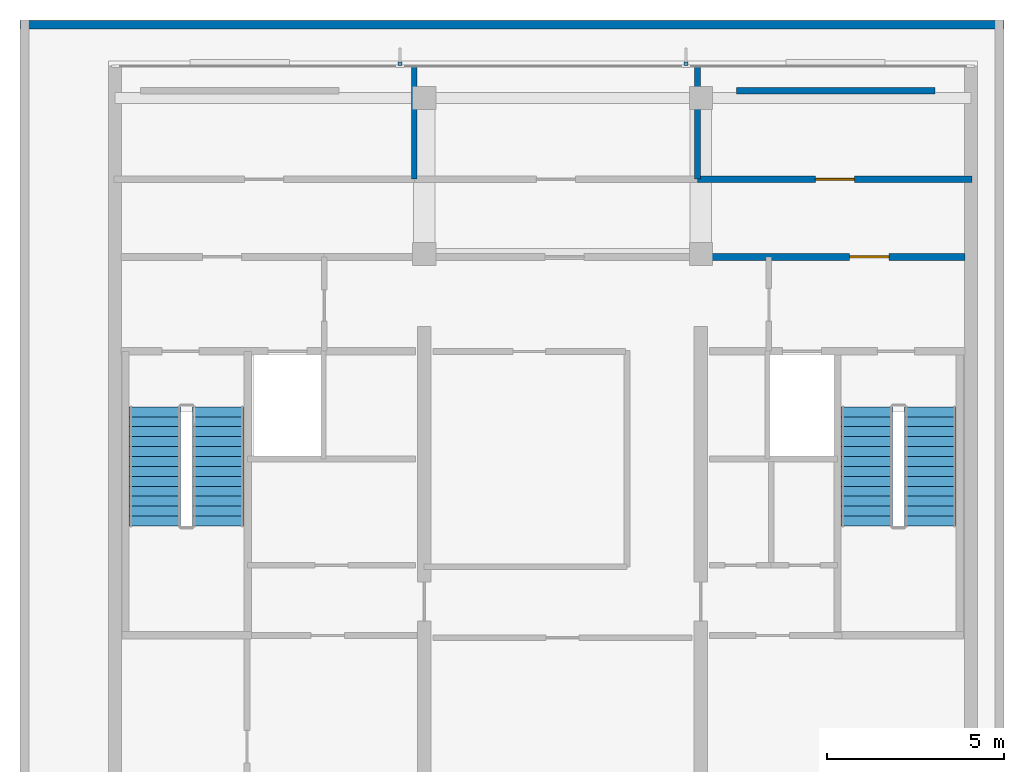
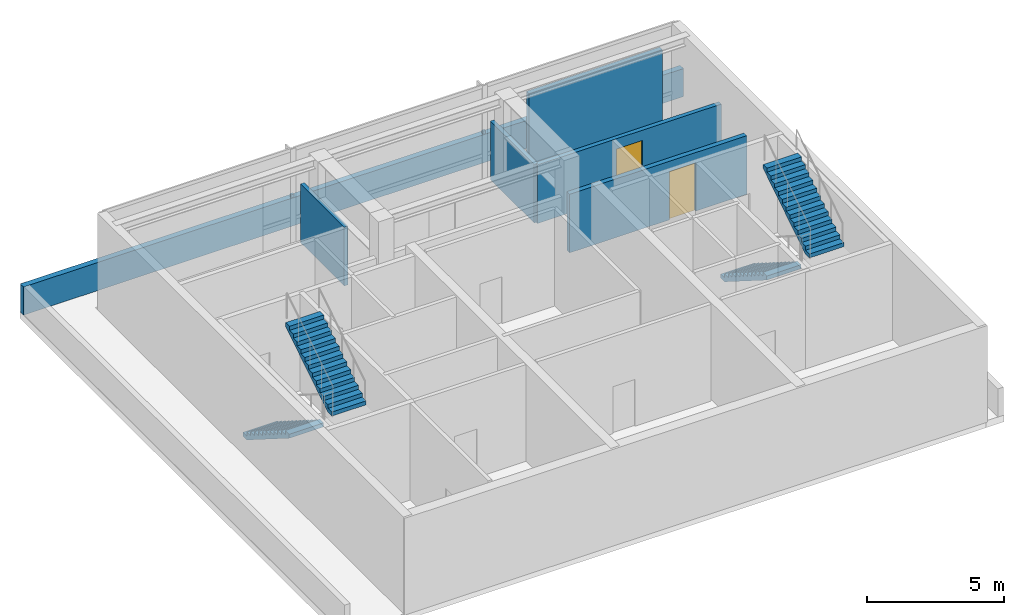
# One storey, part 3 of 4: 6 walls, 4 stair flights, 2 discrete accessories, 2 doors, 2 openings, 2 elements without a shape of their own.
"""IFC4 building model written with IfcOpenShell, lengths in metres."""

from ifc_helpers import new_model, si_unit, direction, frame, frame_2d, origin, place, context, subcontext, project, spatial, polyline, rectangle, outline, extrude, material, layer, layer_set, type_object, element, fill, aggregate, save


model = new_model("IFC4")

# Units and contexts
model_context = context("Model", 3, precision=1e-05, world=origin(), true_north=direction((0.0, 1.0)))
body_context = subcontext(model_context, "Body", "Model", "MODEL_VIEW")
ifc_project = project(units=[si_unit("LENGTHUNIT", "METRE"), si_unit("AREAUNIT", "SQUARE_METRE"), si_unit("VOLUMEUNIT", "CUBIC_METRE"), si_unit("PLANEANGLEUNIT", "RADIAN"), si_unit("MASSUNIT", "GRAM", prefix="KILO")], contexts=[model_context])

# Site, building, storey
site_placement = place(None, origin())
site = spatial("IfcSite", under=ifc_project, at=site_placement, CompositionType="ELEMENT")
building_placement = place(site_placement, origin())
building = spatial("IfcBuilding", under=site, at=building_placement, Name="Qalmaran Belvedere Hotel", CompositionType="ELEMENT")
storey_placement = place(building_placement, frame((0.0, 0.0, 307.89990234375)))
storey = spatial("IfcBuildingStorey", under=building, at=storey_placement, Name="C03", CompositionType="ELEMENT", Elevation=307.89990234375)

# Walls
ifc_material_1 = material(Name="Anodised Bronze Cladding")
ifc_layer_1 = layer(ifc_material_1, 0.18505859375, Name="Anodised Bronze Cladding")
ifc_layer_set_1 = layer_set([ifc_layer_1], Name="Anodised Bronze Cladding")
wall_type_1 = type_object("IfcWallType", Name="WL-CRN-SCRN-185", PredefinedType="ELEMENTEDWALL", material=ifc_layer_set_1)
wall_1_placement = place(storey_placement, frame((38.0, 25.10009765625, 0.0), z_axis=(0.0, 0.0, 1.0), x_axis=(1.0, 0.0, 0.0)))
element("IfcWall", 1, at=wall_1_placement, inside=storey, type_object=wall_type_1, Name="C03 Crown Acoustic Screen N2", PredefinedType="ELEMENTEDWALL", context=body_context, shape_type="SweptSolid", body=[
    extrude(rectangle(XDim=5.60009765625, YDim=0.18505859375, at=frame_2d((2.800048828125, 0.0))), origin(), (0.0, 0.0, 1.0), 3.885009765625),
])
ifc_material_2 = material(Name="Gypsum Stud Partition")
ifc_layer_2 = layer(ifc_material_2, 0.159912109375, Name="Gypsum Stud Partition")
ifc_layer_set_2 = layer_set([ifc_layer_2], Name="Gypsum Stud Partition")
wall_type_2 = type_object("IfcWallType", Name="WL-INT-160-EI120", PredefinedType="PARTITIONING", material=ifc_layer_set_2)
for number, where, z_axis, x_axis, name in (
    (2, (28.919921875, 22.610107421875, 0.0), (0.0, 0.0, 1.0), (0.0, 1.0, 0.0), "C03 Partition WL-C03-CV1"),
    (3, (36.906005859375, 22.610107421875, 0.0), (0.0, 0.0, 1.0), (0.0, 1.0, 0.0), "C03 Partition WL-C03-CV2"),
):
    element("IfcWall", number, at=place(storey_placement, frame(where, z_axis=z_axis, x_axis=x_axis)), inside=storey, type_object=wall_type_2, Name=name, PredefinedType="PARTITIONING", context=body_context, shape_type="SweptSolid", body=[
        extrude(rectangle(XDim=3.18994140625, YDim=0.159912109375, at=frame_2d((1.594970703125, 0.0))), origin(), (0.0, 0.0, 1.0), 2.60498046875),
    ])

# Wall, opening, door
ifc_layer_3 = layer(ifc_material_2, 0.179931640625, Name="Gypsum Stud Partition")
ifc_layer_set_3 = layer_set([ifc_layer_3], Name="Gypsum Stud Partition")
wall_type_3 = type_object("IfcWallType", Name="WL-INT-180-EI120", PredefinedType="PARTITIONING", material=ifc_layer_set_3)
wall_2_placement = place(storey_placement, frame((36.906005859375, 22.610107421875, 0.0), z_axis=(0.0, 0.0, 1.0), x_axis=(1.0, 0.0, 0.0)))
wall_2 = element("IfcWall", 4, at=wall_2_placement, inside=storey, type_object=wall_type_3, Name="C03 Partition WL-C03-CCN3", PredefinedType="PARTITIONING", context=body_context, shape_type="SweptSolid", body=[
    extrude(rectangle(XDim=7.743896484375, YDim=0.179931640625, at=frame_2d((3.8720703125, 0.0))), origin(), (0.0, 0.0, 1.0), 2.60498046875),
])
opening_1_placement = place(wall_2_placement, frame((3.322021484375, 0.0, 0.0)))
opening_1 = element("IfcOpeningElement", 5, at=opening_1_placement, cuts=wall_2, Name="Opening FD90", PredefinedType="OPENING", context=body_context, shape_type="SweptSolid", body=[
    extrude(rectangle(XDim=1.10009765625, YDim=2.14990234375, at=frame_2d((0.550048828125, 1.074951171875))), frame((0.0, 0.10009765625, 0.0), z_axis=(0.0, -1.0, 0.0), x_axis=(1.0, 0.0, 0.0)), (0.0, 0.0, 1.0), 0.199951171875),
])
ifc_material_3 = material(Name="Steel S355JR", Category="steel")
door_type = type_object("IfcDoorType", Name="DR-FD90-1100X2150", OperationType="NOTDEFINED", PredefinedType="DOOR", material=ifc_material_3)
door_1_placement = place(opening_1_placement, origin())
door_1 = element("IfcDoor", 6, at=door_1_placement, inside=storey, type_object=door_type, Name="C03 BMU and Break Tank Plant Room Door", OperationType="SINGLE_SWING_LEFT", OverallHeight=2.14990234375, OverallWidth=1.10009765625, PredefinedType="DOOR", context=body_context, shape_type="SweptSolid", body=[
    extrude(rectangle(XDim=1.10009765625, YDim=2.14990234375, at=frame_2d((0.550048828125, 1.074951171875))), frame((0.0, 0.02490234375, 0.0), z_axis=(0.0, -1.0, 0.0), x_axis=(1.0, 0.0, 0.0)), (0.0, 0.0, 1.0), 0.050048828125),
])
fill(opening_1, door_1)

ifc_material_4 = material(Name="Concrete C30/37 Blockwork", Category="masonry")
ifc_layer_4 = layer(ifc_material_4, 0.199951171875, Name="Concrete C30/37 Blockwork")
ifc_layer_set_4 = layer_set([ifc_layer_4], Name="Concrete C30/37 Blockwork")
wall_type_4 = type_object("IfcWallType", Name="WL-INT-200-EI120", PredefinedType="PARTITIONING", material=ifc_layer_set_4)
wall_3_placement = place(storey_placement, frame((37.0, 20.419921875, 0.0), z_axis=(0.0, 0.0, 1.0), x_axis=(1.0, 0.0, 0.0)))
wall_3 = element("IfcWall", 7, at=wall_3_placement, inside=storey, type_object=wall_type_4, Name="C03 Partition WL-CN3-C03", PredefinedType="PARTITIONING", context=body_context, shape_type="SweptSolid", body=[
    extrude(rectangle(XDim=7.449951171875, YDim=0.199951171875, at=frame_2d((3.72509765625, 0.0))), origin(), (0.0, 0.0, 1.0), 2.60498046875),
])
opening_2_placement = place(wall_3_placement, frame((4.199951171875, 0.0, 0.0)))
opening_2 = element("IfcOpeningElement", 8, at=opening_2_placement, cuts=wall_3, Name="Opening FD90", PredefinedType="OPENING", context=body_context, shape_type="SweptSolid", body=[
    extrude(rectangle(XDim=1.10009765625, YDim=2.14990234375, at=frame_2d((0.550048828125, 1.074951171875))), frame((0.0, 0.10986328125, 0.0), z_axis=(0.0, -1.0, 0.0), x_axis=(1.0, 0.0, 0.0)), (0.0, 0.0, 1.0), 0.219970703125),
])
door_2_placement = place(opening_2_placement, origin())
door_2 = element("IfcDoor", 9, at=door_2_placement, inside=storey, type_object=door_type, Name="C03 FF2 Lobby Corridor Door", OperationType="SINGLE_SWING_RIGHT", OverallHeight=2.14990234375, OverallWidth=1.10009765625, PredefinedType="DOOR", context=body_context, shape_type="SweptSolid", body=[
    extrude(rectangle(XDim=1.10009765625, YDim=2.14990234375, at=frame_2d((0.550048828125, 1.074951171875))), frame((0.0, 0.02490234375, 0.0), z_axis=(0.0, -1.0, 0.0), x_axis=(1.0, 0.0, 0.0)), (0.0, 0.0, 1.0), 0.050048828125),
])
fill(opening_2, door_2)

# Wall
ifc_material_5 = material(Name="Concrete C40/50", Category="concrete")
ifc_layer_5 = layer(ifc_material_5, 0.239990234375, Name="Concrete C40/50")
ifc_layer_set_5 = layer_set([ifc_layer_5], Name="Concrete C40/50")
wall_type_5 = type_object("IfcWallType", Name="WL-PARAPET-240", PredefinedType="PARAPET", material=ifc_layer_set_5)
wall_4_placement = place(storey_placement, frame((45.550048828125, 26.9599609375, 0.0), z_axis=(0.0, 0.0, 1.0), x_axis=(-1.0, 0.0, 0.0)))
element("IfcWall", 10, at=wall_4_placement, inside=storey, type_object=wall_type_5, Name="C03 Roof Parapet 3", PredefinedType="PARAPET", context=body_context, shape_type="SweptSolid", body=[
    extrude(rectangle(XDim=27.75, YDim=0.239990234375, at=frame_2d((13.875, 0.0))), origin(), (0.0, 0.0, 1.0), 1.25),
])

# Stair, stair flights
stair_type_1 = type_object("IfcStairType", Name="STR-ST-1-1450-R1769", PredefinedType="HALF_TURN_STAIR", material=ifc_material_5)
stair_1_placement = place(storey_placement, origin())
stair_1 = element("IfcStair", 11, at=stair_1_placement, inside=storey, type_object=stair_type_1, Name="C03 West Core Exit Stair ST-1", PredefinedType="HALF_TURN_STAIR")
ifc_layer_6 = layer(ifc_material_5, 0.14990234375, Name="Concrete C40/50")
ifc_layer_set_6 = layer_set([ifc_layer_6], Name="Concrete C40/50")
stair_flight_type_1 = type_object("IfcStairFlightType", Name="STF-ST-1-1450-R1769", PredefinedType="STRAIGHT", material=ifc_layer_set_6)
stair_flight_1_placement = place(storey_placement, frame((21.60498046875, 16.18994140625, 0.0), z_axis=(0.0, 0.0, 1.0), x_axis=(0.0, -1.0, 0.0)))
stair_flight_1 = element("IfcStairFlight", 12, at=stair_flight_1_placement, type_object=stair_flight_type_1, Name="ST-1 flight 1", NumberOfRisers=13, NumberOfTreads=12, PredefinedType="STRAIGHT", RiserHeight=0.176923077, TreadLength=0.28, context=body_context, shape_type="SweptSolid", body=[
    extrude(outline(polyline([(0.0, 0.0), (0.0, 0.177001953125), (0.280029296875, 0.177001953125), (0.280029296875, 0.353759765625), (0.56005859375, 0.353759765625), (0.56005859375, 0.53076171875), (0.840087890625, 0.53076171875), (0.840087890625, 0.707763671875), (1.1201171875, 0.707763671875), (1.1201171875, 0.884521484375), (1.39990234375, 0.884521484375), (1.39990234375, 1.0615234375), (1.679931640625, 1.0615234375), (1.679931640625, 1.238525390625), (1.9599609375, 1.238525390625), (1.9599609375, 1.415283203125), (2.239990234375, 1.415283203125), (2.239990234375, 1.59228515625), (2.52001953125, 1.59228515625), (2.52001953125, 1.769287109375), (2.800048828125, 1.769287109375), (2.800048828125, 1.946044921875), (3.080078125, 1.946044921875), (3.080078125, 2.123046875), (3.360107421875, 2.123046875), (3.360107421875, 2.300048828125), (3.360107421875, 1.94580078125), (0.280517578125, 0.0), (0.0, 0.0)])), frame((0.0, 0.72509765625, 0.0), z_axis=(0.0, -1.0, 0.0), x_axis=(1.0, 0.0, 0.0)), (0.0, 0.0, 1.0), 1.449951171875),
])
stair_flight_2_placement = place(storey_placement, frame((23.39501953125, 12.830078125, 2.300048828125), z_axis=(0.0, 0.0, 1.0), x_axis=(0.0, 1.0, 0.0)))
stair_flight_2 = element("IfcStairFlight", 13, at=stair_flight_2_placement, type_object=stair_flight_type_1, Name="ST-1 flight 2", NumberOfRisers=13, NumberOfTreads=12, PredefinedType="STRAIGHT", RiserHeight=0.176923077, TreadLength=0.28, context=body_context, shape_type="SweptSolid", body=[
    extrude(outline(polyline([(0.0, 0.0), (0.0, 0.177001953125), (0.280029296875, 0.177001953125), (0.280029296875, 0.353759765625), (0.56005859375, 0.353759765625), (0.56005859375, 0.53076171875), (0.840087890625, 0.53076171875), (0.840087890625, 0.707763671875), (1.1201171875, 0.707763671875), (1.1201171875, 0.884521484375), (1.39990234375, 0.884521484375), (1.39990234375, 1.0615234375), (1.679931640625, 1.0615234375), (1.679931640625, 1.238525390625), (1.9599609375, 1.238525390625), (1.9599609375, 1.415283203125), (2.239990234375, 1.415283203125), (2.239990234375, 1.59228515625), (2.52001953125, 1.59228515625), (2.52001953125, 1.769287109375), (2.800048828125, 1.769287109375), (2.800048828125, 1.946044921875), (3.080078125, 1.946044921875), (3.080078125, 2.123046875), (3.360107421875, 2.123046875), (3.360107421875, 2.300048828125), (3.360107421875, 1.94580078125), (0.280517578125, 0.0), (0.0, 0.0)])), frame((0.0, 0.72509765625, 0.0), z_axis=(0.0, -1.0, 0.0), x_axis=(1.0, 0.0, 0.0)), (0.0, 0.0, 1.0), 1.449951171875),
])
aggregate(stair_1, [stair_flight_1, stair_flight_2])

stair_type_2 = type_object("IfcStairType", Name="STR-ST-2-1450-R1769", PredefinedType="HALF_TURN_STAIR", material=ifc_material_5)
stair_2_placement = place(storey_placement, origin())
stair_2 = element("IfcStair", 14, at=stair_2_placement, inside=storey, type_object=stair_type_2, Name="C03 East Core Exit Stair ST-2", PredefinedType="HALF_TURN_STAIR")
ifc_layer_7 = layer(ifc_material_5, 0.14990234375, Name="Concrete C40/50")
ifc_layer_set_7 = layer_set([ifc_layer_7], Name="Concrete C40/50")
stair_flight_type_2 = type_object("IfcStairFlightType", Name="STF-ST-2-1450-R1769", PredefinedType="STRAIGHT", material=ifc_layer_set_7)
stair_flight_3_placement = place(storey_placement, frame((41.68505859375, 16.18994140625, 0.0), z_axis=(0.0, 0.0, 1.0), x_axis=(0.0, -1.0, 0.0)))
stair_flight_3 = element("IfcStairFlight", 15, at=stair_flight_3_placement, type_object=stair_flight_type_2, Name="ST-2 flight 1", NumberOfRisers=13, NumberOfTreads=12, PredefinedType="STRAIGHT", RiserHeight=0.176923077, TreadLength=0.28, context=body_context, shape_type="SweptSolid", body=[
    extrude(outline(polyline([(0.0, 0.0), (0.0, 0.177001953125), (0.280029296875, 0.177001953125), (0.280029296875, 0.353759765625), (0.56005859375, 0.353759765625), (0.56005859375, 0.53076171875), (0.840087890625, 0.53076171875), (0.840087890625, 0.707763671875), (1.1201171875, 0.707763671875), (1.1201171875, 0.884521484375), (1.39990234375, 0.884521484375), (1.39990234375, 1.0615234375), (1.679931640625, 1.0615234375), (1.679931640625, 1.238525390625), (1.9599609375, 1.238525390625), (1.9599609375, 1.415283203125), (2.239990234375, 1.415283203125), (2.239990234375, 1.59228515625), (2.52001953125, 1.59228515625), (2.52001953125, 1.769287109375), (2.800048828125, 1.769287109375), (2.800048828125, 1.946044921875), (3.080078125, 1.946044921875), (3.080078125, 2.123046875), (3.360107421875, 2.123046875), (3.360107421875, 2.300048828125), (3.360107421875, 1.94580078125), (0.280517578125, 0.0), (0.0, 0.0)])), frame((0.0, 0.72509765625, 0.0), z_axis=(0.0, -1.0, 0.0), x_axis=(1.0, 0.0, 0.0)), (0.0, 0.0, 1.0), 1.449951171875),
])
stair_flight_4_placement = place(storey_placement, frame((43.47509765625, 12.830078125, 2.300048828125), z_axis=(0.0, 0.0, 1.0), x_axis=(0.0, 1.0, 0.0)))
stair_flight_4 = element("IfcStairFlight", 16, at=stair_flight_4_placement, type_object=stair_flight_type_2, Name="ST-2 flight 2", NumberOfRisers=13, NumberOfTreads=12, PredefinedType="STRAIGHT", RiserHeight=0.176923077, TreadLength=0.28, context=body_context, shape_type="SweptSolid", body=[
    extrude(outline(polyline([(0.0, 0.0), (0.0, 0.177001953125), (0.280029296875, 0.177001953125), (0.280029296875, 0.353759765625), (0.56005859375, 0.353759765625), (0.56005859375, 0.53076171875), (0.840087890625, 0.53076171875), (0.840087890625, 0.707763671875), (1.1201171875, 0.707763671875), (1.1201171875, 0.884521484375), (1.39990234375, 0.884521484375), (1.39990234375, 1.0615234375), (1.679931640625, 1.0615234375), (1.679931640625, 1.238525390625), (1.9599609375, 1.238525390625), (1.9599609375, 1.415283203125), (2.239990234375, 1.415283203125), (2.239990234375, 1.59228515625), (2.52001953125, 1.59228515625), (2.52001953125, 1.769287109375), (2.800048828125, 1.769287109375), (2.800048828125, 1.946044921875), (3.080078125, 1.946044921875), (3.080078125, 2.123046875), (3.360107421875, 2.123046875), (3.360107421875, 2.300048828125), (3.360107421875, 1.94580078125), (0.280517578125, 0.0), (0.0, 0.0)])), frame((0.0, 0.72509765625, 0.0), z_axis=(0.0, -1.0, 0.0), x_axis=(1.0, 0.0, 0.0)), (0.0, 0.0, 1.0), 1.449951171875),
])
aggregate(stair_2, [stair_flight_3, stair_flight_4])

# Discrete accessories
ifc_material_6 = material(Name="Stainless Steel 1.4401", Category="steel")
discrete_accessory_type = type_object("IfcDiscreteAccessoryType", Name="BRK-FIN-SS316", PredefinedType="BRACKET", material=ifc_material_6)
discrete_accessory_1_placement = place(storey_placement, frame((0.0, 0.0, 2.10009765625)))
element("IfcDiscreteAccessory", 17, at=discrete_accessory_1_placement, inside=storey, type_object=discrete_accessory_type, Name="C03 Fin Bracket 1", PredefinedType="BRACKET", context=body_context, shape_type="SweptSolid", body=[
    extrude(outline(polyline([(36.63818359375, 25.81494140625), (36.63818359375, 25.91259765625), (36.5283203125, 25.91259765625), (36.5283203125, 25.81494140625), (36.63818359375, 25.81494140625)])), origin(), (0.0, 0.0, 1.0), 0.139892578125),
])
discrete_accessory_2_placement = place(storey_placement, frame((0.0, 0.0, 2.10009765625)))
element("IfcDiscreteAccessory", 18, at=discrete_accessory_2_placement, inside=storey, type_object=discrete_accessory_type, Name="C03 Fin Bracket 2", PredefinedType="BRACKET", context=body_context, shape_type="SweptSolid", body=[
    extrude(outline(polyline([(28.57177734375, 25.81494140625), (28.57177734375, 25.91259765625), (28.461669921875, 25.91259765625), (28.461669921875, 25.81494140625), (28.57177734375, 25.81494140625)])), origin(), (0.0, 0.0, 1.0), 0.139892578125),
])

save(model, "model.ifc")
